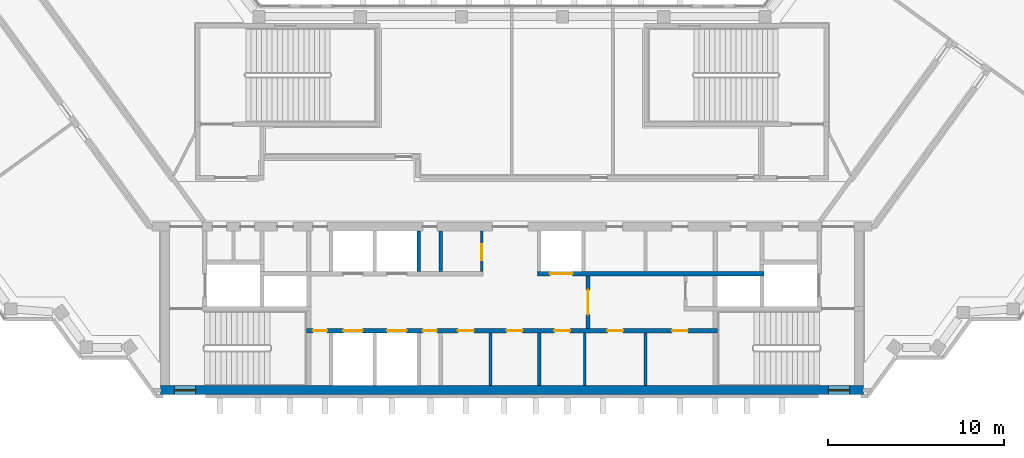
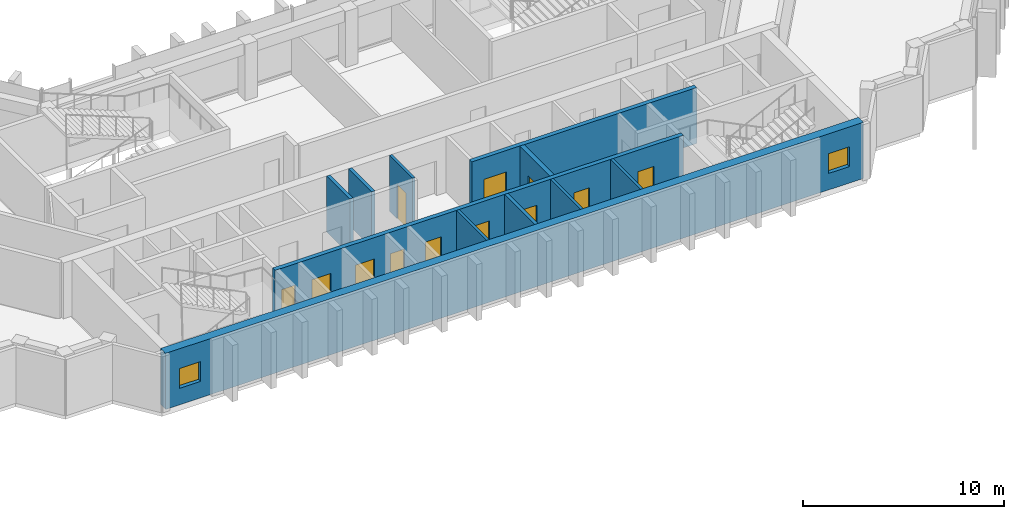
# One storey, part 9 of 13: 12 doors, 11 walls, 2 windows, 14 openings.
"""IFC4 building model written with IfcOpenShell, lengths in metres."""

from ifc_helpers import new_model, si_unit, direction, frame, frame_2d, origin, place, context, subcontext, project, spatial, rectangle, extrude, material, layer, layer_set, type_object, element, fill, save


model = new_model("IFC4")

# Units and contexts
model_context = context("Model", 3, precision=1e-05, world=origin(), true_north=direction((0.0, 1.0)))
body_context = subcontext(model_context, "Body", "Model", "MODEL_VIEW")
ifc_project = project(units=[si_unit("LENGTHUNIT", "METRE"), si_unit("AREAUNIT", "SQUARE_METRE"), si_unit("VOLUMEUNIT", "CUBIC_METRE"), si_unit("PLANEANGLEUNIT", "RADIAN"), si_unit("MASSUNIT", "GRAM", prefix="KILO")], contexts=[model_context])

# Site, building, storey
site_placement = place(None, origin())
site = spatial("IfcSite", under=ifc_project, at=site_placement, CompositionType="ELEMENT")
building_placement = place(site_placement, origin())
building = spatial("IfcBuilding", under=site, at=building_placement, Name="Quipu Civic Tower", CompositionType="ELEMENT")
storey_placement = place(building_placement, frame((0.0, 0.0, 297.0)))
storey = spatial("IfcBuildingStorey", under=building, at=storey_placement, Name="L69", CompositionType="ELEMENT", Elevation=297.0)

# Wall, openings, doors
ifc_material_1 = material(Name="Concrete C70/85", Category="concrete")
ifc_layer_1 = layer(ifc_material_1, 0.25)
ifc_layer_set_1 = layer_set([ifc_layer_1], Name="Concrete C70/85")
wall_type_1 = type_object("IfcWallType", Name="Core wall 250", PredefinedType="SHEAR", material=ifc_layer_set_1)
wall_1_placement = place(storey_placement, frame((11.699951171875, -7.375, 0.0), z_axis=(0.0, 0.0, 1.0), x_axis=(-1.0, 0.0, 0.0)))
wall_1 = element("IfcWall", 1, at=wall_1_placement, inside=storey, type_object=wall_type_1, Name="Core wall", PredefinedType="SHEAR", context=body_context, shape_type="SweptSolid", body=[
    extrude(rectangle(XDim=23.39990234375, YDim=0.25, at=frame_2d((11.699951171875, 0.0))), origin(), (0.0, 0.0, 1.0), 3.39990234375),
])
opening_1_placement = place(wall_1_placement, frame((22.22509765625, 0.0, 0.0)))
opening_1 = element("IfcOpeningElement", 2, at=opening_1_placement, cuts=wall_1, Name="Opening CD-01", PredefinedType="OPENING", context=body_context, shape_type="SweptSolid", body=[
    extrude(rectangle(XDim=0.800048828125, YDim=2.10009765625, at=frame_2d((0.39990234375, 1.050048828125))), frame((0.0, 0.135009765625, 0.0), z_axis=(0.0, -1.0, 0.0), x_axis=(1.0, 0.0, 0.0)), (0.0, 0.0, 1.0), 0.27001953125),
])
opening_2_placement = place(wall_1_placement, frame((20.199951171875, 0.0, 0.0)))
opening_2 = element("IfcOpeningElement", 3, at=opening_2_placement, cuts=wall_1, Name="Opening LD-HL1", PredefinedType="OPENING", context=body_context, shape_type="SweptSolid", body=[
    extrude(rectangle(XDim=1.10009765625, YDim=2.10009765625, at=frame_2d((0.550048828125, 1.050048828125))), frame((0.0, 0.135009765625, 0.0), z_axis=(0.0, -1.0, 0.0), x_axis=(1.0, 0.0, 0.0)), (0.0, 0.0, 1.0), 0.27001953125),
])
opening_3_placement = place(wall_1_placement, frame((17.699951171875, 0.0, 0.0)))
opening_3 = element("IfcOpeningElement", 4, at=opening_3_placement, cuts=wall_1, Name="Opening LD-HL2", PredefinedType="OPENING", context=body_context, shape_type="SweptSolid", body=[
    extrude(rectangle(XDim=1.10009765625, YDim=2.10009765625, at=frame_2d((0.550048828125, 1.050048828125))), frame((0.0, 0.135009765625, 0.0), z_axis=(0.0, -1.0, 0.0), x_axis=(1.0, 0.0, 0.0)), (0.0, 0.0, 1.0), 0.27001953125),
])
opening_4_placement = place(wall_1_placement, frame((15.97509765625, 0.0, 0.0)))
opening_4 = element("IfcOpeningElement", 5, at=opening_4_placement, cuts=wall_1, Name="Opening CD-02", PredefinedType="OPENING", context=body_context, shape_type="SweptSolid", body=[
    extrude(rectangle(XDim=0.800048828125, YDim=2.10009765625, at=frame_2d((0.39990234375, 1.050048828125))), frame((0.0, 0.135009765625, 0.0), z_axis=(0.0, -1.0, 0.0), x_axis=(1.0, 0.0, 0.0)), (0.0, 0.0, 1.0), 0.27001953125),
])
opening_5_placement = place(wall_1_placement, frame((13.875, 0.0, 0.0)))
opening_5 = element("IfcOpeningElement", 6, at=opening_5_placement, cuts=wall_1, Name="Opening CD-03", PredefinedType="OPENING", context=body_context, shape_type="SweptSolid", body=[
    extrude(rectangle(XDim=0.89990234375, YDim=2.10009765625, at=frame_2d((0.449951171875, 1.050048828125))), frame((0.0, 0.135009765625, 0.0), z_axis=(0.0, -1.0, 0.0), x_axis=(1.0, 0.0, 0.0)), (0.0, 0.0, 1.0), 0.27001953125),
])
opening_6_placement = place(wall_1_placement, frame((11.10009765625, 0.0, 0.0)))
opening_6 = element("IfcOpeningElement", 7, at=opening_6_placement, cuts=wall_1, Name="Opening CD-04", PredefinedType="OPENING", context=body_context, shape_type="SweptSolid", body=[
    extrude(rectangle(XDim=0.89990234375, YDim=2.10009765625, at=frame_2d((0.449951171875, 1.050048828125))), frame((0.0, 0.135009765625, 0.0), z_axis=(0.0, -1.0, 0.0), x_axis=(1.0, 0.0, 0.0)), (0.0, 0.0, 1.0), 0.27001953125),
])
opening_7_placement = place(wall_1_placement, frame((8.387939453125, 0.0, 0.0)))
opening_7 = element("IfcOpeningElement", 8, at=opening_7_placement, cuts=wall_1, Name="Opening CD-05", PredefinedType="OPENING", context=body_context, shape_type="SweptSolid", body=[
    extrude(rectangle(XDim=0.89990234375, YDim=2.10009765625, at=frame_2d((0.449951171875, 1.050048828125))), frame((0.0, 0.135009765625, 0.0), z_axis=(0.0, -1.0, 0.0), x_axis=(1.0, 0.0, 0.0)), (0.0, 0.0, 1.0), 0.27001953125),
])
opening_8_placement = place(wall_1_placement, frame((5.375, 0.0, 0.0)))
opening_8 = element("IfcOpeningElement", 9, at=opening_8_placement, cuts=wall_1, Name="Opening CD-06", PredefinedType="OPENING", context=body_context, shape_type="SweptSolid", body=[
    extrude(rectangle(XDim=0.89990234375, YDim=2.10009765625, at=frame_2d((0.449951171875, 1.050048828125))), frame((0.0, 0.135009765625, 0.0), z_axis=(0.0, -1.0, 0.0), x_axis=(1.0, 0.0, 0.0)), (0.0, 0.0, 1.0), 0.27001953125),
])
opening_9_placement = place(wall_1_placement, frame((1.68798828125, 0.0, 0.0)))
opening_9 = element("IfcOpeningElement", 10, at=opening_9_placement, cuts=wall_1, Name="Opening CD-07", PredefinedType="OPENING", context=body_context, shape_type="SweptSolid", body=[
    extrude(rectangle(XDim=0.89990234375, YDim=2.10009765625, at=frame_2d((0.449951171875, 1.050048828125))), frame((0.0, 0.135009765625, 0.0), z_axis=(0.0, -1.0, 0.0), x_axis=(1.0, 0.0, 0.0)), (0.0, 0.0, 1.0), 0.27001953125),
])
ifc_material_2 = material(Name="Fire rated steel door", Category="steel")
door_type_1 = type_object("IfcDoorType", Name="Fire door FD60 800 x 2100", OperationType="NOTDEFINED", PredefinedType="DOOR", material=ifc_material_2)
door_1_placement = place(opening_1_placement, origin())
door_1 = element("IfcDoor", 11, at=door_1_placement, inside=storey, type_object=door_type_1, Name="Door", OperationType="SINGLE_SWING_RIGHT", OverallHeight=2.10009765625, OverallWidth=0.800048828125, PredefinedType="DOOR", context=body_context, shape_type="SweptSolid", body=[
    extrude(rectangle(XDim=0.800048828125, YDim=2.10009765625, at=frame_2d((0.39990234375, 1.050048828125))), frame((0.0, 0.02490234375, 0.0), z_axis=(0.0, -1.0, 0.0), x_axis=(1.0, 0.0, 0.0)), (0.0, 0.0, 1.0), 0.050048828125),
])
fill(opening_1, door_1)
door_2_placement = place(opening_4_placement, origin())
door_2 = element("IfcDoor", 12, at=door_2_placement, inside=storey, type_object=door_type_1, Name="Door", OperationType="SINGLE_SWING_RIGHT", OverallHeight=2.10009765625, OverallWidth=0.800048828125, PredefinedType="DOOR", context=body_context, shape_type="SweptSolid", body=[
    extrude(rectangle(XDim=0.800048828125, YDim=2.10009765625, at=frame_2d((0.39990234375, 1.050048828125))), frame((0.0, 0.02490234375, 0.0), z_axis=(0.0, -1.0, 0.0), x_axis=(1.0, 0.0, 0.0)), (0.0, 0.0, 1.0), 0.050048828125),
])
fill(opening_4, door_2)
ifc_material_3 = material(Name="Fire rated steel door", Category="steel")
door_type_2 = type_object("IfcDoorType", Name="Fire door FD60 900 x 2100", OperationType="NOTDEFINED", PredefinedType="DOOR", material=ifc_material_3)
door_3_placement = place(opening_5_placement, origin())
door_3 = element("IfcDoor", 13, at=door_3_placement, inside=storey, type_object=door_type_2, Name="WC door", OperationType="SINGLE_SWING_RIGHT", OverallHeight=2.10009765625, OverallWidth=0.89990234375, PredefinedType="DOOR", context=body_context, shape_type="SweptSolid", body=[
    extrude(rectangle(XDim=0.89990234375, YDim=2.10009765625, at=frame_2d((0.449951171875, 1.050048828125))), frame((0.0, 0.02490234375, 0.0), z_axis=(0.0, -1.0, 0.0), x_axis=(1.0, 0.0, 0.0)), (0.0, 0.0, 1.0), 0.050048828125),
])
fill(opening_5, door_3)
door_4_placement = place(opening_6_placement, origin())
door_4 = element("IfcDoor", 14, at=door_4_placement, inside=storey, type_object=door_type_2, Name="WC door", OperationType="SINGLE_SWING_LEFT", OverallHeight=2.10009765625, OverallWidth=0.89990234375, PredefinedType="DOOR", context=body_context, shape_type="SweptSolid", body=[
    extrude(rectangle(XDim=0.89990234375, YDim=2.10009765625, at=frame_2d((0.449951171875, 1.050048828125))), frame((0.0, 0.02490234375, 0.0), z_axis=(0.0, -1.0, 0.0), x_axis=(1.0, 0.0, 0.0)), (0.0, 0.0, 1.0), 0.050048828125),
])
fill(opening_6, door_4)
door_5_placement = place(opening_7_placement, origin())
door_5 = element("IfcDoor", 15, at=door_5_placement, inside=storey, type_object=door_type_2, Name="Door", OperationType="SINGLE_SWING_LEFT", OverallHeight=2.10009765625, OverallWidth=0.89990234375, PredefinedType="DOOR", context=body_context, shape_type="SweptSolid", body=[
    extrude(rectangle(XDim=0.89990234375, YDim=2.10009765625, at=frame_2d((0.449951171875, 1.050048828125))), frame((0.0, 0.02490234375, 0.0), z_axis=(0.0, -1.0, 0.0), x_axis=(1.0, 0.0, 0.0)), (0.0, 0.0, 1.0), 0.050048828125),
])
fill(opening_7, door_5)
door_6_placement = place(opening_8_placement, origin())
door_6 = element("IfcDoor", 16, at=door_6_placement, inside=storey, type_object=door_type_2, Name="Door", OperationType="SINGLE_SWING_LEFT", OverallHeight=2.10009765625, OverallWidth=0.89990234375, PredefinedType="DOOR", context=body_context, shape_type="SweptSolid", body=[
    extrude(rectangle(XDim=0.89990234375, YDim=2.10009765625, at=frame_2d((0.449951171875, 1.050048828125))), frame((0.0, 0.02490234375, 0.0), z_axis=(0.0, -1.0, 0.0), x_axis=(1.0, 0.0, 0.0)), (0.0, 0.0, 1.0), 0.050048828125),
])
fill(opening_8, door_6)
door_7_placement = place(opening_9_placement, origin())
door_7 = element("IfcDoor", 17, at=door_7_placement, inside=storey, type_object=door_type_2, Name="Door", OperationType="SINGLE_SWING_LEFT", OverallHeight=2.10009765625, OverallWidth=0.89990234375, PredefinedType="DOOR", context=body_context, shape_type="SweptSolid", body=[
    extrude(rectangle(XDim=0.89990234375, YDim=2.10009765625, at=frame_2d((0.449951171875, 1.050048828125))), frame((0.0, 0.02490234375, 0.0), z_axis=(0.0, -1.0, 0.0), x_axis=(1.0, 0.0, 0.0)), (0.0, 0.0, 1.0), 0.050048828125),
])
fill(opening_9, door_7)
ifc_material_4 = material(Name="Stainless steel", Category="steel")
door_type_3 = type_object("IfcDoorType", Name="Lift landing door 1100 x 2100", OperationType="DOUBLE_DOOR_SLIDING", PredefinedType="DOOR", material=ifc_material_4)
door_8_placement = place(opening_2_placement, origin())
door_8 = element("IfcDoor", 18, at=door_8_placement, inside=storey, type_object=door_type_3, Name="Landing door HL1", OperationType="DOUBLE_DOOR_SLIDING", OverallHeight=2.10009765625, OverallWidth=1.10009765625, PredefinedType="DOOR", context=body_context, shape_type="SweptSolid", body=[
    extrude(rectangle(XDim=1.10009765625, YDim=2.10009765625, at=frame_2d((0.550048828125, 1.050048828125))), frame((0.0, 0.02490234375, 0.0), z_axis=(0.0, -1.0, 0.0), x_axis=(1.0, 0.0, 0.0)), (0.0, 0.0, 1.0), 0.050048828125),
])
fill(opening_2, door_8)
door_9_placement = place(opening_3_placement, origin())
door_9 = element("IfcDoor", 19, at=door_9_placement, inside=storey, type_object=door_type_3, Name="Landing door HL2", OperationType="DOUBLE_DOOR_SLIDING", OverallHeight=2.10009765625, OverallWidth=1.10009765625, PredefinedType="DOOR", context=body_context, shape_type="SweptSolid", body=[
    extrude(rectangle(XDim=1.10009765625, YDim=2.10009765625, at=frame_2d((0.550048828125, 1.050048828125))), frame((0.0, 0.02490234375, 0.0), z_axis=(0.0, -1.0, 0.0), x_axis=(1.0, 0.0, 0.0)), (0.0, 0.0, 1.0), 0.050048828125),
])
fill(opening_3, door_9)

# Wall, opening, door
wall_2_placement = place(storey_placement, frame((4.324951171875, -7.25, 0.0), z_axis=(0.0, 0.0, 1.0), x_axis=(0.0, 1.0, 0.0)))
wall_2 = element("IfcWall", 20, at=wall_2_placement, inside=storey, type_object=wall_type_1, Name="Core wall", PredefinedType="SHEAR", context=body_context, shape_type="SweptSolid", body=[
    extrude(rectangle(XDim=3.0, YDim=0.25, at=frame_2d((1.5, 0.0))), origin(), (0.0, 0.0, 1.0), 3.39990234375),
])
opening_10_placement = place(wall_2_placement, frame((0.800048828125, 0.0, 0.0)))
opening_10 = element("IfcOpeningElement", 21, at=opening_10_placement, cuts=wall_2, Name="Opening CD-10", PredefinedType="OPENING", context=body_context, shape_type="SweptSolid", body=[
    extrude(rectangle(XDim=1.39990234375, YDim=2.10009765625, at=frame_2d((0.699951171875, 1.050048828125))), frame((0.0, 0.135009765625, 0.0), z_axis=(0.0, -1.0, 0.0), x_axis=(1.0, 0.0, 0.0)), (0.0, 0.0, 1.0), 0.27001953125),
])
ifc_material_5 = material(Name="Fire rated steel door", Category="steel")
door_type_4 = type_object("IfcDoorType", Name="Fire door FD60 double 1400 x 2100", OperationType="NOTDEFINED", PredefinedType="DOOR", material=ifc_material_5)
door_10_placement = place(opening_10_placement, origin())
door_10 = element("IfcDoor", 22, at=door_10_placement, inside=storey, type_object=door_type_4, Name="Hall door", OperationType="DOUBLE_DOOR_SINGLE_SWING", OverallHeight=2.10009765625, OverallWidth=1.39990234375, PredefinedType="DOOR", context=body_context, shape_type="SweptSolid", body=[
    extrude(rectangle(XDim=1.39990234375, YDim=2.10009765625, at=frame_2d((0.699951171875, 1.050048828125))), frame((0.0, 0.02490234375, 0.0), z_axis=(0.0, -1.0, 0.0), x_axis=(1.0, 0.0, 0.0)), (0.0, 0.0, 1.0), 0.050048828125),
])
fill(opening_10, door_10)

wall_3_placement = place(storey_placement, frame((1.449951171875, -4.125, 0.0), z_axis=(0.0, 0.0, 1.0), x_axis=(1.0, 0.0, 0.0)))
wall_3 = element("IfcWall", 23, at=wall_3_placement, inside=storey, type_object=wall_type_1, Name="Core wall", PredefinedType="SHEAR", context=body_context, shape_type="SweptSolid", body=[
    extrude(rectangle(XDim=12.900146484375, YDim=0.25, at=frame_2d((6.4501953125, 0.0))), origin(), (0.0, 0.0, 1.0), 3.39990234375),
])
opening_11_placement = place(wall_3_placement, frame((0.699951171875, 0.0, 0.0)))
opening_11 = element("IfcOpeningElement", 24, at=opening_11_placement, cuts=wall_3, Name="Opening LD-FF3", PredefinedType="OPENING", context=body_context, shape_type="SweptSolid", body=[
    extrude(rectangle(XDim=1.300048828125, YDim=2.10009765625, at=frame_2d((0.64990234375, 1.050048828125))), frame((0.0, 0.135009765625, 0.0), z_axis=(0.0, -1.0, 0.0), x_axis=(1.0, 0.0, 0.0)), (0.0, 0.0, 1.0), 0.27001953125),
])
ifc_material_6 = material(Name="Stainless steel", Category="steel")
door_type_5 = type_object("IfcDoorType", Name="Lift landing door 1300 x 2100", OperationType="DOUBLE_DOOR_SLIDING", PredefinedType="DOOR", material=ifc_material_6)
door_11_placement = place(opening_11_placement, origin())
door_11 = element("IfcDoor", 25, at=door_11_placement, inside=storey, type_object=door_type_5, Name="Landing door FF3", OperationType="DOUBLE_DOOR_SLIDING", OverallHeight=2.10009765625, OverallWidth=1.300048828125, PredefinedType="DOOR", context=body_context, shape_type="SweptSolid", body=[
    extrude(rectangle(XDim=1.300048828125, YDim=2.10009765625, at=frame_2d((0.64990234375, 1.050048828125))), frame((0.0, 0.02490234375, 0.0), z_axis=(0.0, -1.0, 0.0), x_axis=(1.0, 0.0, 0.0)), (0.0, 0.0, 1.0), 0.050048828125),
])
fill(opening_11, door_11)

# Wall, openings, windows
ifc_material_7 = material(Name="Concrete C70/85", Category="concrete")
ifc_layer_2 = layer(ifc_material_7, 0.5)
ifc_layer_set_2 = layer_set([ifc_layer_2], Name="Concrete C70/85")
wall_type_2 = type_object("IfcWallType", Name="Core wall 500", PredefinedType="SHEAR", material=ifc_layer_set_2)
wall_4_placement = place(storey_placement, frame((-20.0, -10.75, 0.0), z_axis=(0.0, 0.0, 1.0), x_axis=(1.0, 0.0, 0.0)))
wall_4 = element("IfcWall", 26, at=wall_4_placement, inside=storey, type_object=wall_type_2, Name="Core wall", PredefinedType="SHEAR", context=body_context, shape_type="SweptSolid", body=[
    extrude(rectangle(XDim=40.0, YDim=0.5, at=frame_2d((20.0, 0.0))), origin(), (0.0, 0.0, 1.0), 3.39990234375),
])
opening_12_placement = place(wall_4_placement, frame((0.800048828125, 0.0, 1.0)))
opening_12 = element("IfcOpeningElement", 27, at=opening_12_placement, cuts=wall_4, Name="Opening SV-1", PredefinedType="OPENING", context=body_context, shape_type="SweptSolid", body=[
    extrude(rectangle(XDim=1.199951171875, YDim=1.199951171875, at=frame_2d((0.60009765625, 0.60009765625))), frame((0.0, 0.260009765625, 0.0), z_axis=(0.0, -1.0, 0.0), x_axis=(1.0, 0.0, 0.0)), (0.0, 0.0, 1.0), 0.52001953125),
])
opening_13_placement = place(wall_4_placement, frame((38.0, 0.0, 1.0)))
opening_13 = element("IfcOpeningElement", 28, at=opening_13_placement, cuts=wall_4, Name="Opening SV-2", PredefinedType="OPENING", context=body_context, shape_type="SweptSolid", body=[
    extrude(rectangle(XDim=1.199951171875, YDim=1.199951171875, at=frame_2d((0.60009765625, 0.60009765625))), frame((0.0, 0.260009765625, 0.0), z_axis=(0.0, -1.0, 0.0), x_axis=(1.0, 0.0, 0.0)), (0.0, 0.0, 1.0), 0.52001953125),
])
ifc_material_8 = material(Name="Aluminium louvre", Category="aluminium")
window_type = type_object("IfcWindowType", Name="Stair ventilation louvre 1200 x 1200", PartitioningType="SINGLE_PANEL", PredefinedType="WINDOW", material=ifc_material_8)
window_1_placement = place(opening_12_placement, origin())
window_1 = element("IfcWindow", 29, at=window_1_placement, inside=storey, type_object=window_type, Name="Stair ventilation opening", OverallHeight=1.199951171875, OverallWidth=1.199951171875, PartitioningType="SINGLE_PANEL", PredefinedType="WINDOW", context=body_context, shape_type="SweptSolid", body=[
    extrude(rectangle(XDim=1.199951171875, YDim=1.199951171875, at=frame_2d((0.60009765625, 0.60009765625))), frame((0.0, 0.030029296875, 0.0), z_axis=(0.0, -1.0, 0.0), x_axis=(1.0, 0.0, 0.0)), (0.0, 0.0, 1.0), 0.06005859375),
])
fill(opening_12, window_1)
window_2_placement = place(opening_13_placement, origin())
window_2 = element("IfcWindow", 30, at=window_2_placement, inside=storey, type_object=window_type, Name="Stair ventilation opening", OverallHeight=1.199951171875, OverallWidth=1.199951171875, PartitioningType="SINGLE_PANEL", PredefinedType="WINDOW", context=body_context, shape_type="SweptSolid", body=[
    extrude(rectangle(XDim=1.199951171875, YDim=1.199951171875, at=frame_2d((0.60009765625, 0.60009765625))), frame((0.0, 0.030029296875, 0.0), z_axis=(0.0, -1.0, 0.0), x_axis=(1.0, 0.0, 0.0)), (0.0, 0.0, 1.0), 0.06005859375),
])
fill(opening_13, window_2)

# Walls
ifc_material_9 = material(Name="Gypsum board partition")
ifc_layer_3 = layer(ifc_material_9, 0.14990234375)
ifc_layer_set_3 = layer_set([ifc_layer_3], Name="Gypsum board partition")
wall_type_3 = type_object("IfcWallType", Name="Partition 150", PredefinedType="PARTITIONING", material=ifc_layer_set_3)
for number, where, z_axis, x_axis, name in (
    (31, (-1.22509765625, -10.5, 0.0), (0.0, 0.0, 1.0), (0.0, 1.0, 0.0), "Partition"),
    (32, (4.14990234375, -10.5, 0.0), (0.0, 0.0, 1.0), (0.0, 1.0, 0.0), "Partition"),
    (33, (7.60009765625, -10.5, 0.0), (0.0, 0.0, 1.0), (0.0, 1.0, 0.0), "Partition"),
):
    element("IfcWall", number, at=place(storey_placement, frame(where, z_axis=z_axis, x_axis=x_axis)), inside=storey, type_object=wall_type_3, Name=name, PredefinedType="PARTITIONING", context=body_context, shape_type="SweptSolid", body=[
        extrude(rectangle(XDim=3.0, YDim=0.14990234375, at=frame_2d((1.5, 0.0))), origin(), (0.0, 0.0, 1.0), 3.39990234375),
    ])

# Wall, opening, door
wall_5_placement = place(storey_placement, frame((-1.72509765625, -1.699951171875, 0.0), z_axis=(0.0, 0.0, 1.0), x_axis=(0.0, -1.0, 0.0)))
wall_5 = element("IfcWall", 34, at=wall_5_placement, inside=storey, type_object=wall_type_3, Name="Partition", PredefinedType="PARTITIONING", context=body_context, shape_type="SweptSolid", body=[
    extrude(rectangle(XDim=2.300048828125, YDim=0.14990234375, at=frame_2d((1.14990234375, 0.0))), origin(), (0.0, 0.0, 1.0), 3.39990234375),
])
opening_14_placement = place(wall_5_placement, frame((0.75, 0.0, 0.0)))
opening_14 = element("IfcOpeningElement", 35, at=opening_14_placement, cuts=wall_5, Name="Opening CD-12", PredefinedType="OPENING", context=body_context, shape_type="SweptSolid", body=[
    extrude(rectangle(XDim=0.89990234375, YDim=2.10009765625, at=frame_2d((0.449951171875, 1.050048828125))), frame((0.0, 0.0849609375, 0.0), z_axis=(0.0, -1.0, 0.0), x_axis=(1.0, 0.0, 0.0)), (0.0, 0.0, 1.0), 0.169921875),
])
door_12_placement = place(opening_14_placement, origin())
door_12 = element("IfcDoor", 36, at=door_12_placement, inside=storey, type_object=door_type_2, Name="WC door", OperationType="SINGLE_SWING_RIGHT", OverallHeight=2.10009765625, OverallWidth=0.89990234375, PredefinedType="DOOR", context=body_context, shape_type="SweptSolid", body=[
    extrude(rectangle(XDim=0.89990234375, YDim=2.10009765625, at=frame_2d((0.449951171875, 1.050048828125))), frame((0.0, 0.02490234375, 0.0), z_axis=(0.0, -1.0, 0.0), x_axis=(1.0, 0.0, 0.0)), (0.0, 0.0, 1.0), 0.050048828125),
])
fill(opening_14, door_12)

# Walls
ifc_material_10 = material(Name="Concrete C40/50", Category="concrete")
ifc_layer_4 = layer(ifc_material_10, 0.199951171875)
ifc_layer_set_4 = layer_set([ifc_layer_4], Name="Concrete C40/50")
wall_type_4 = type_object("IfcWallType", Name="Shaft wall 200", PredefinedType="SOLIDWALL", material=ifc_layer_set_4)
wall_6_placement = place(storey_placement, frame((1.550048828125, -10.5, 0.0), z_axis=(0.0, 0.0, 1.0), x_axis=(0.0, 1.0, 0.0)))
element("IfcWall", 37, at=wall_6_placement, inside=storey, type_object=wall_type_4, Name="Shaft wall", PredefinedType="SOLIDWALL", context=body_context, shape_type="SweptSolid", body=[
    extrude(rectangle(XDim=3.0, YDim=0.199951171875, at=frame_2d((1.5, 0.0))), origin(), (0.0, 0.0, 1.0), 3.39990234375),
])
for number, where, z_axis, x_axis, name in (
    (38, (-5.300048828125, -4.0, 0.0), (0.0, 0.0, 1.0), (0.0, 1.0, 0.0), "Shaft wall"),
    (39, (-4.050048828125, -4.0, 0.0), (0.0, 0.0, 1.0), (0.0, 1.0, 0.0), "Shaft wall"),
):
    element("IfcWall", number, at=place(storey_placement, frame(where, z_axis=z_axis, x_axis=x_axis)), inside=storey, type_object=wall_type_4, Name=name, PredefinedType="SOLIDWALL", context=body_context, shape_type="SweptSolid", body=[
        extrude(rectangle(XDim=2.300048828125, YDim=0.199951171875, at=frame_2d((1.14990234375, 0.0))), origin(), (0.0, 0.0, 1.0), 3.39990234375),
    ])

save(model, "model.ifc")
